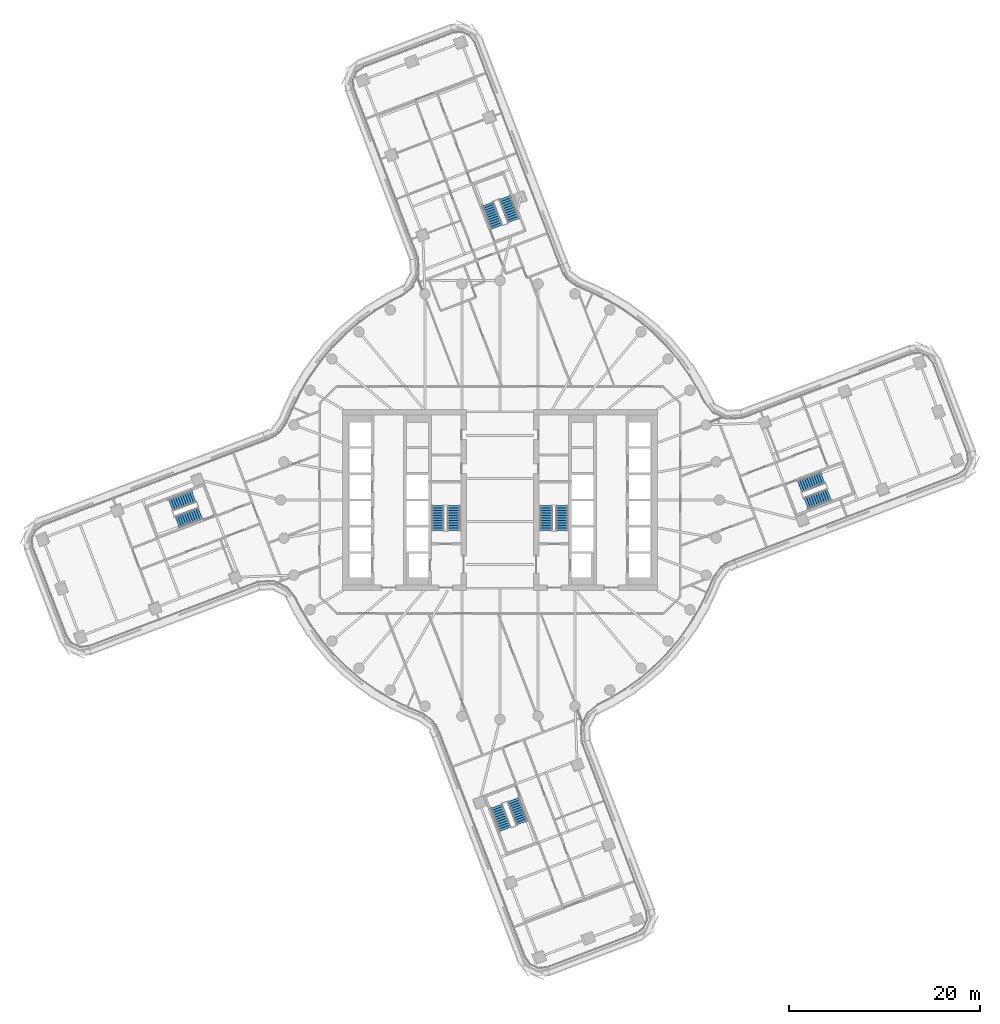
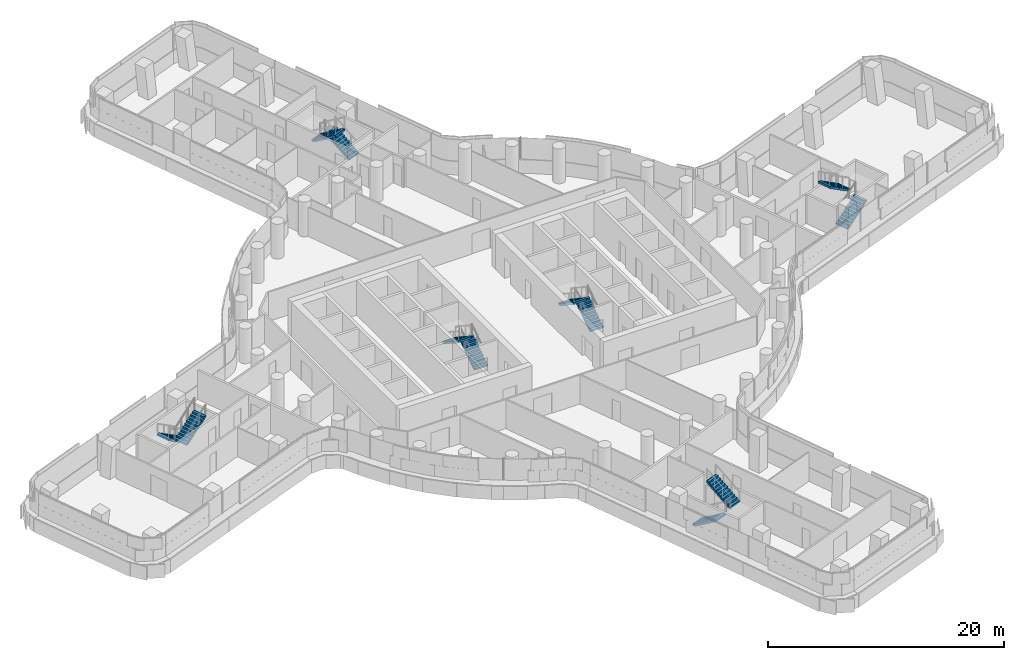
# One storey, part 25 of 32: 12 stair flights, 6 elements without a shape of their own.
"""IFC4 building model written with IfcOpenShell, lengths in metres."""

from ifc_helpers import new_model, si_unit, direction, frame, origin, place, context, subcontext, project, spatial, polyline, outline, extrude, material, type_object, element, aggregate, save


model = new_model("IFC4")

# Units and contexts
model_context = context("Model", 3, precision=1e-05, world=origin(), true_north=direction((0.0, 1.0)))
body_context = subcontext(model_context, "Body", "Model", "MODEL_VIEW")
ifc_project = project(units=[si_unit("LENGTHUNIT", "METRE"), si_unit("AREAUNIT", "SQUARE_METRE"), si_unit("VOLUMEUNIT", "CUBIC_METRE"), si_unit("PLANEANGLEUNIT", "RADIAN"), si_unit("MASSUNIT", "GRAM", prefix="KILO")], contexts=[model_context])

# Site, building, storey
site_placement = place(None, origin())
site = spatial("IfcSite", under=ifc_project, at=site_placement, CompositionType="ELEMENT")
building_placement = place(site_placement, origin())
building = spatial("IfcBuilding", under=site, at=building_placement, Name="Tamarind Cross Interchange Tower", CompositionType="ELEMENT")
storey_placement = place(building_placement, frame((0.0, 0.0, 109.75)))
storey = spatial("IfcBuildingStorey", under=building, at=storey_placement, Name="L26", CompositionType="ELEMENT", Elevation=109.75)

# Stair, stair flights
ifc_material_1 = material(Name="Exit stair")
stair_type = type_object("IfcStairType", Name="Exit stair", PredefinedType="HALF_TURN_STAIR", material=ifc_material_1)
stair_1_placement = place(storey_placement, origin())
stair_1 = element("IfcStair", 1, at=stair_1_placement, inside=storey, type_object=stair_type, Name="L26 exit stair ST1", PredefinedType="HALF_TURN_STAIR")
ifc_material_2 = material(Name="Exit stair flight")
stair_flight_type = type_object("IfcStairFlightType", Name="Exit stair flight", PredefinedType="STRAIGHT", material=ifc_material_2)
stair_flight_1_placement = place(storey_placement, frame((-4.85009765625, -3.199951171875, 0.0), z_axis=(0.0, 0.0, 1.0), x_axis=(0.0, 1.0, 0.0)))
stair_flight_1 = element("IfcStairFlight", 2, at=stair_flight_1_placement, type_object=stair_flight_type, Name="ST1 flight 1", NumberOfRisers=11, NumberOfTreads=10, PredefinedType="STRAIGHT", RiserHeight=0.170454545, TreadLength=0.26, context=body_context, shape_type="SweptSolid", body=[
    extrude(outline(polyline([(0.0, 0.0), (0.0, 0.17041015625), (0.260009765625, 0.17041015625), (0.260009765625, 0.3408203125), (0.52001953125, 0.3408203125), (0.52001953125, 0.511474609375), (0.780029296875, 0.511474609375), (0.780029296875, 0.681884765625), (1.0400390625, 0.681884765625), (1.0400390625, 0.852294921875), (1.300048828125, 0.852294921875), (1.300048828125, 1.022705078125), (1.56005859375, 1.022705078125), (1.56005859375, 1.193115234375), (1.820068359375, 1.193115234375), (1.820068359375, 1.363525390625), (2.080078125, 1.363525390625), (2.080078125, 1.5341796875), (2.340087890625, 1.5341796875), (2.340087890625, 1.70458984375), (2.60009765625, 1.70458984375), (2.60009765625, 1.875), (2.60009765625, 1.525390625), (0.2734375, 0.0), (0.0, 0.0)])), frame((0.0, 0.64990234375, 0.0), z_axis=(0.0, -1.0, 0.0), x_axis=(1.0, 0.0, 0.0)), (0.0, 0.0, 1.0), 1.300048828125),
])
stair_flight_2_placement = place(storey_placement, frame((-6.5, -0.60009765625, 1.875), z_axis=(0.0, 0.0, 1.0), x_axis=(0.0, -1.0, 0.0)))
stair_flight_2 = element("IfcStairFlight", 3, at=stair_flight_2_placement, type_object=stair_flight_type, Name="ST1 flight 2", NumberOfRisers=11, NumberOfTreads=10, PredefinedType="STRAIGHT", RiserHeight=0.170454545, TreadLength=0.26, context=body_context, shape_type="SweptSolid", body=[
    extrude(outline(polyline([(0.0, 0.0), (0.0, 0.17041015625), (0.260009765625, 0.17041015625), (0.260009765625, 0.3408203125), (0.52001953125, 0.3408203125), (0.52001953125, 0.511474609375), (0.780029296875, 0.511474609375), (0.780029296875, 0.681884765625), (1.0400390625, 0.681884765625), (1.0400390625, 0.852294921875), (1.300048828125, 0.852294921875), (1.300048828125, 1.022705078125), (1.56005859375, 1.022705078125), (1.56005859375, 1.193115234375), (1.820068359375, 1.193115234375), (1.820068359375, 1.363525390625), (2.080078125, 1.363525390625), (2.080078125, 1.5341796875), (2.340087890625, 1.5341796875), (2.340087890625, 1.70458984375), (2.60009765625, 1.70458984375), (2.60009765625, 1.7548828125), (2.612060546875, 1.7548828125), (2.612060546875, 1.533203125), (0.2734375, 0.0), (0.0, 0.0)])), frame((0.0, 0.64990234375, 0.0), z_axis=(0.0, -1.0, 0.0), x_axis=(1.0, 0.0, 0.0)), (0.0, 0.0, 1.0), 1.300048828125),
])
aggregate(stair_1, [stair_flight_1, stair_flight_2])

stair_2_placement = place(storey_placement, origin())
stair_2 = element("IfcStair", 4, at=stair_2_placement, inside=storey, type_object=stair_type, Name="L26 exit stair ST2", PredefinedType="HALF_TURN_STAIR")
stair_flight_3_placement = place(storey_placement, frame((6.5, -3.199951171875, 0.0), z_axis=(0.0, 0.0, 1.0), x_axis=(0.0, 1.0, 0.0)))
stair_flight_3 = element("IfcStairFlight", 5, at=stair_flight_3_placement, type_object=stair_flight_type, Name="ST2 flight 1", NumberOfRisers=11, NumberOfTreads=10, PredefinedType="STRAIGHT", RiserHeight=0.170454545, TreadLength=0.26, context=body_context, shape_type="SweptSolid", body=[
    extrude(outline(polyline([(0.0, 0.0), (0.0, 0.17041015625), (0.260009765625, 0.17041015625), (0.260009765625, 0.3408203125), (0.52001953125, 0.3408203125), (0.52001953125, 0.511474609375), (0.780029296875, 0.511474609375), (0.780029296875, 0.681884765625), (1.0400390625, 0.681884765625), (1.0400390625, 0.852294921875), (1.300048828125, 0.852294921875), (1.300048828125, 1.022705078125), (1.56005859375, 1.022705078125), (1.56005859375, 1.193115234375), (1.820068359375, 1.193115234375), (1.820068359375, 1.363525390625), (2.080078125, 1.363525390625), (2.080078125, 1.5341796875), (2.340087890625, 1.5341796875), (2.340087890625, 1.70458984375), (2.60009765625, 1.70458984375), (2.60009765625, 1.875), (2.60009765625, 1.525390625), (0.2734375, 0.0), (0.0, 0.0)])), frame((0.0, 0.64990234375, 0.0), z_axis=(0.0, -1.0, 0.0), x_axis=(1.0, 0.0, 0.0)), (0.0, 0.0, 1.0), 1.300048828125),
])
stair_flight_4_placement = place(storey_placement, frame((4.85009765625, -0.60009765625, 1.875), z_axis=(0.0, 0.0, 1.0), x_axis=(0.0, -1.0, 0.0)))
stair_flight_4 = element("IfcStairFlight", 6, at=stair_flight_4_placement, type_object=stair_flight_type, Name="ST2 flight 2", NumberOfRisers=11, NumberOfTreads=10, PredefinedType="STRAIGHT", RiserHeight=0.170454545, TreadLength=0.26, context=body_context, shape_type="SweptSolid", body=[
    extrude(outline(polyline([(0.0, 0.0), (0.0, 0.17041015625), (0.260009765625, 0.17041015625), (0.260009765625, 0.3408203125), (0.52001953125, 0.3408203125), (0.52001953125, 0.511474609375), (0.780029296875, 0.511474609375), (0.780029296875, 0.681884765625), (1.0400390625, 0.681884765625), (1.0400390625, 0.852294921875), (1.300048828125, 0.852294921875), (1.300048828125, 1.022705078125), (1.56005859375, 1.022705078125), (1.56005859375, 1.193115234375), (1.820068359375, 1.193115234375), (1.820068359375, 1.363525390625), (2.080078125, 1.363525390625), (2.080078125, 1.5341796875), (2.340087890625, 1.5341796875), (2.340087890625, 1.70458984375), (2.60009765625, 1.70458984375), (2.60009765625, 1.7548828125), (2.612060546875, 1.7548828125), (2.612060546875, 1.533203125), (0.2734375, 0.0), (0.0, 0.0)])), frame((0.0, 0.64990234375, 0.0), z_axis=(0.0, -1.0, 0.0), x_axis=(1.0, 0.0, 0.0)), (0.0, 0.0, 1.0), 1.300048828125),
])
aggregate(stair_2, [stair_flight_3, stair_flight_4])

stair_3_placement = place(storey_placement, origin())
stair_3 = element("IfcStair", 7, at=stair_3_placement, inside=storey, type_object=stair_type, Name="L26 exit stair ST3", PredefinedType="HALF_TURN_STAIR")
stair_flight_5_placement = place(storey_placement, frame((32.09716796875, -0.373046875, 0.0), z_axis=(0.0, 0.0, 1.0), x_axis=(0.934229377055, 0.356672778674, 0.0)))
stair_flight_5 = element("IfcStairFlight", 8, at=stair_flight_5_placement, type_object=stair_flight_type, Name="ST3 flight 1", NumberOfRisers=11, NumberOfTreads=10, PredefinedType="STRAIGHT", RiserHeight=0.170454545, TreadLength=0.26, context=body_context, shape_type="SweptSolid", body=[
    extrude(outline(polyline([(0.0, 0.0), (0.0, 0.17041015625), (0.260009765625, 0.17041015625), (0.260009765625, 0.3408203125), (0.52001953125, 0.3408203125), (0.52001953125, 0.511474609375), (0.780029296875, 0.511474609375), (0.780029296875, 0.681884765625), (1.0400390625, 0.681884765625), (1.0400390625, 0.852294921875), (1.300048828125, 0.852294921875), (1.300048828125, 1.022705078125), (1.56005859375, 1.022705078125), (1.56005859375, 1.193115234375), (1.820068359375, 1.193115234375), (1.820068359375, 1.363525390625), (2.080078125, 1.363525390625), (2.080078125, 1.5341796875), (2.340087890625, 1.5341796875), (2.340087890625, 1.70458984375), (2.60009765625, 1.70458984375), (2.60009765625, 1.875), (2.60009765625, 1.525390625), (0.2734375, 0.0), (0.0, 0.0)])), frame((0.0, 0.64990234375, 0.0), z_axis=(0.0, -1.0, 0.0), x_axis=(1.0, 0.0, 0.0)), (0.0, 0.0, 1.0), 1.300048828125),
])
stair_flight_6_placement = place(storey_placement, frame((33.848388671875, 2.329345703125, 1.875), z_axis=(0.0, 0.0, 1.0), x_axis=(-0.934229377055, -0.356672778674, 0.0)))
stair_flight_6 = element("IfcStairFlight", 9, at=stair_flight_6_placement, type_object=stair_flight_type, Name="ST3 flight 2", NumberOfRisers=11, NumberOfTreads=10, PredefinedType="STRAIGHT", RiserHeight=0.170454545, TreadLength=0.26, context=body_context, shape_type="SweptSolid", body=[
    extrude(outline(polyline([(0.0, 0.0), (0.0, 0.17041015625), (0.260009765625, 0.17041015625), (0.260009765625, 0.3408203125), (0.52001953125, 0.3408203125), (0.52001953125, 0.511474609375), (0.780029296875, 0.511474609375), (0.780029296875, 0.681884765625), (1.0400390625, 0.681884765625), (1.0400390625, 0.852294921875), (1.300048828125, 0.852294921875), (1.300048828125, 1.022705078125), (1.56005859375, 1.022705078125), (1.56005859375, 1.193115234375), (1.820068359375, 1.193115234375), (1.820068359375, 1.363525390625), (2.080078125, 1.363525390625), (2.080078125, 1.5341796875), (2.340087890625, 1.5341796875), (2.340087890625, 1.70458984375), (2.60009765625, 1.70458984375), (2.60009765625, 1.7548828125), (2.612060546875, 1.7548828125), (2.612060546875, 1.533203125), (0.2734375, 0.0), (0.0, 0.0)])), frame((0.0, 0.64990234375, 0.0), z_axis=(0.0, -1.0, 0.0), x_axis=(1.0, 0.0, 0.0)), (0.0, 0.0, 1.0), 1.300048828125),
])
aggregate(stair_3, [stair_flight_5, stair_flight_6])

stair_4_placement = place(storey_placement, origin())
stair_4 = element("IfcStair", 10, at=stair_4_placement, inside=storey, type_object=stair_type, Name="L26 exit stair ST4", PredefinedType="HALF_TURN_STAIR")
stair_flight_7_placement = place(storey_placement, frame((1.443115234375, 29.29443359375, 0.0), z_axis=(0.0, 0.0, 1.0), x_axis=(-0.356672778674, 0.934229377055, 0.0)))
stair_flight_7 = element("IfcStairFlight", 11, at=stair_flight_7_placement, type_object=stair_flight_type, Name="ST4 flight 1", NumberOfRisers=11, NumberOfTreads=10, PredefinedType="STRAIGHT", RiserHeight=0.170454545, TreadLength=0.26, context=body_context, shape_type="SweptSolid", body=[
    extrude(outline(polyline([(0.0, 0.0), (0.0, 0.17041015625), (0.260009765625, 0.17041015625), (0.260009765625, 0.3408203125), (0.52001953125, 0.3408203125), (0.52001953125, 0.511474609375), (0.780029296875, 0.511474609375), (0.780029296875, 0.681884765625), (1.0400390625, 0.681884765625), (1.0400390625, 0.852294921875), (1.300048828125, 0.852294921875), (1.300048828125, 1.022705078125), (1.56005859375, 1.022705078125), (1.56005859375, 1.193115234375), (1.820068359375, 1.193115234375), (1.820068359375, 1.363525390625), (2.080078125, 1.363525390625), (2.080078125, 1.5341796875), (2.340087890625, 1.5341796875), (2.340087890625, 1.70458984375), (2.60009765625, 1.70458984375), (2.60009765625, 1.875), (2.60009765625, 1.525390625), (0.2734375, 0.0), (0.0, 0.0)])), frame((0.0, 0.64990234375, 0.0), z_axis=(0.0, -1.0, 0.0), x_axis=(1.0, 0.0, 0.0)), (0.0, 0.0, 1.0), 1.300048828125),
])
stair_flight_8_placement = place(storey_placement, frame((-1.25927734375, 31.0458984375, 1.875), z_axis=(0.0, 0.0, 1.0), x_axis=(0.356672778674, -0.934229377055, 0.0)))
stair_flight_8 = element("IfcStairFlight", 12, at=stair_flight_8_placement, type_object=stair_flight_type, Name="ST4 flight 2", NumberOfRisers=11, NumberOfTreads=10, PredefinedType="STRAIGHT", RiserHeight=0.170454545, TreadLength=0.26, context=body_context, shape_type="SweptSolid", body=[
    extrude(outline(polyline([(0.0, 0.0), (0.0, 0.17041015625), (0.260009765625, 0.17041015625), (0.260009765625, 0.3408203125), (0.52001953125, 0.3408203125), (0.52001953125, 0.511474609375), (0.780029296875, 0.511474609375), (0.780029296875, 0.681884765625), (1.0400390625, 0.681884765625), (1.0400390625, 0.852294921875), (1.300048828125, 0.852294921875), (1.300048828125, 1.022705078125), (1.56005859375, 1.022705078125), (1.56005859375, 1.193115234375), (1.820068359375, 1.193115234375), (1.820068359375, 1.363525390625), (2.080078125, 1.363525390625), (2.080078125, 1.5341796875), (2.340087890625, 1.5341796875), (2.340087890625, 1.70458984375), (2.60009765625, 1.70458984375), (2.60009765625, 1.7548828125), (2.612060546875, 1.7548828125), (2.612060546875, 1.533203125), (0.2734375, 0.0), (0.0, 0.0)])), frame((0.0, 0.64990234375, 0.0), z_axis=(0.0, -1.0, 0.0), x_axis=(1.0, 0.0, 0.0)), (0.0, 0.0, 1.0), 1.300048828125),
])
aggregate(stair_4, [stair_flight_7, stair_flight_8])

stair_5_placement = place(storey_placement, origin())
stair_5 = element("IfcStair", 13, at=stair_5_placement, inside=storey, type_object=stair_type, Name="L26 exit stair ST5", PredefinedType="HALF_TURN_STAIR")
stair_flight_9_placement = place(storey_placement, frame((-32.09716796875, 0.373046875, 0.0), z_axis=(0.0, 0.0, 1.0), x_axis=(-0.934229377055, -0.356672778674, 0.0)))
stair_flight_9 = element("IfcStairFlight", 14, at=stair_flight_9_placement, type_object=stair_flight_type, Name="ST5 flight 1", NumberOfRisers=11, NumberOfTreads=10, PredefinedType="STRAIGHT", RiserHeight=0.170454545, TreadLength=0.26, context=body_context, shape_type="SweptSolid", body=[
    extrude(outline(polyline([(0.0, 0.0), (0.0, 0.17041015625), (0.260009765625, 0.17041015625), (0.260009765625, 0.3408203125), (0.52001953125, 0.3408203125), (0.52001953125, 0.511474609375), (0.780029296875, 0.511474609375), (0.780029296875, 0.681884765625), (1.0400390625, 0.681884765625), (1.0400390625, 0.852294921875), (1.300048828125, 0.852294921875), (1.300048828125, 1.022705078125), (1.56005859375, 1.022705078125), (1.56005859375, 1.193115234375), (1.820068359375, 1.193115234375), (1.820068359375, 1.363525390625), (2.080078125, 1.363525390625), (2.080078125, 1.5341796875), (2.340087890625, 1.5341796875), (2.340087890625, 1.70458984375), (2.60009765625, 1.70458984375), (2.60009765625, 1.875), (2.60009765625, 1.525390625), (0.2734375, 0.0), (0.0, 0.0)])), frame((0.0, 0.64990234375, 0.0), z_axis=(0.0, -1.0, 0.0), x_axis=(1.0, 0.0, 0.0)), (0.0, 0.0, 1.0), 1.300048828125),
])
stair_flight_10_placement = place(storey_placement, frame((-33.848388671875, -2.329345703125, 1.875), z_axis=(0.0, 0.0, 1.0), x_axis=(0.934229377055, 0.356672778674, 0.0)))
stair_flight_10 = element("IfcStairFlight", 15, at=stair_flight_10_placement, type_object=stair_flight_type, Name="ST5 flight 2", NumberOfRisers=11, NumberOfTreads=10, PredefinedType="STRAIGHT", RiserHeight=0.170454545, TreadLength=0.26, context=body_context, shape_type="SweptSolid", body=[
    extrude(outline(polyline([(0.0, 0.0), (0.0, 0.17041015625), (0.260009765625, 0.17041015625), (0.260009765625, 0.3408203125), (0.52001953125, 0.3408203125), (0.52001953125, 0.511474609375), (0.780029296875, 0.511474609375), (0.780029296875, 0.681884765625), (1.0400390625, 0.681884765625), (1.0400390625, 0.852294921875), (1.300048828125, 0.852294921875), (1.300048828125, 1.022705078125), (1.56005859375, 1.022705078125), (1.56005859375, 1.193115234375), (1.820068359375, 1.193115234375), (1.820068359375, 1.363525390625), (2.080078125, 1.363525390625), (2.080078125, 1.5341796875), (2.340087890625, 1.5341796875), (2.340087890625, 1.70458984375), (2.60009765625, 1.70458984375), (2.60009765625, 1.7548828125), (2.612060546875, 1.7548828125), (2.612060546875, 1.533203125), (0.2734375, 0.0), (0.0, 0.0)])), frame((0.0, 0.64990234375, 0.0), z_axis=(0.0, -1.0, 0.0), x_axis=(1.0, 0.0, 0.0)), (0.0, 0.0, 1.0), 1.300048828125),
])
aggregate(stair_5, [stair_flight_9, stair_flight_10])

stair_6_placement = place(storey_placement, origin())
stair_6 = element("IfcStair", 16, at=stair_6_placement, inside=storey, type_object=stair_type, Name="L26 exit stair ST6", PredefinedType="HALF_TURN_STAIR")
stair_flight_11_placement = place(storey_placement, frame((-0.373046875, -32.09716796875, 0.0), z_axis=(0.0, 0.0, 1.0), x_axis=(0.356672778674, -0.934229377055, 0.0)))
stair_flight_11 = element("IfcStairFlight", 17, at=stair_flight_11_placement, type_object=stair_flight_type, Name="ST6 flight 1", NumberOfRisers=11, NumberOfTreads=10, PredefinedType="STRAIGHT", RiserHeight=0.170454545, TreadLength=0.26, context=body_context, shape_type="SweptSolid", body=[
    extrude(outline(polyline([(0.0, 0.0), (0.0, 0.17041015625), (0.260009765625, 0.17041015625), (0.260009765625, 0.3408203125), (0.52001953125, 0.3408203125), (0.52001953125, 0.511474609375), (0.780029296875, 0.511474609375), (0.780029296875, 0.681884765625), (1.0400390625, 0.681884765625), (1.0400390625, 0.852294921875), (1.300048828125, 0.852294921875), (1.300048828125, 1.022705078125), (1.56005859375, 1.022705078125), (1.56005859375, 1.193115234375), (1.820068359375, 1.193115234375), (1.820068359375, 1.363525390625), (2.080078125, 1.363525390625), (2.080078125, 1.5341796875), (2.340087890625, 1.5341796875), (2.340087890625, 1.70458984375), (2.60009765625, 1.70458984375), (2.60009765625, 1.875), (2.60009765625, 1.525390625), (0.2734375, 0.0), (0.0, 0.0)])), frame((0.0, 0.64990234375, 0.0), z_axis=(0.0, -1.0, 0.0), x_axis=(1.0, 0.0, 0.0)), (0.0, 0.0, 1.0), 1.300048828125),
])
stair_flight_12_placement = place(storey_placement, frame((2.329345703125, -33.848388671875, 1.875), z_axis=(0.0, 0.0, 1.0), x_axis=(-0.356672778674, 0.934229377055, 0.0)))
stair_flight_12 = element("IfcStairFlight", 18, at=stair_flight_12_placement, type_object=stair_flight_type, Name="ST6 flight 2", NumberOfRisers=11, NumberOfTreads=10, PredefinedType="STRAIGHT", RiserHeight=0.170454545, TreadLength=0.26, context=body_context, shape_type="SweptSolid", body=[
    extrude(outline(polyline([(0.0, 0.0), (0.0, 0.17041015625), (0.260009765625, 0.17041015625), (0.260009765625, 0.3408203125), (0.52001953125, 0.3408203125), (0.52001953125, 0.511474609375), (0.780029296875, 0.511474609375), (0.780029296875, 0.681884765625), (1.0400390625, 0.681884765625), (1.0400390625, 0.852294921875), (1.300048828125, 0.852294921875), (1.300048828125, 1.022705078125), (1.56005859375, 1.022705078125), (1.56005859375, 1.193115234375), (1.820068359375, 1.193115234375), (1.820068359375, 1.363525390625), (2.080078125, 1.363525390625), (2.080078125, 1.5341796875), (2.340087890625, 1.5341796875), (2.340087890625, 1.70458984375), (2.60009765625, 1.70458984375), (2.60009765625, 1.7548828125), (2.612060546875, 1.7548828125), (2.612060546875, 1.533203125), (0.2734375, 0.0), (0.0, 0.0)])), frame((0.0, 0.64990234375, 0.0), z_axis=(0.0, -1.0, 0.0), x_axis=(1.0, 0.0, 0.0)), (0.0, 0.0, 1.0), 1.300048828125),
])
aggregate(stair_6, [stair_flight_11, stair_flight_12])

save(model, "model.ifc")
